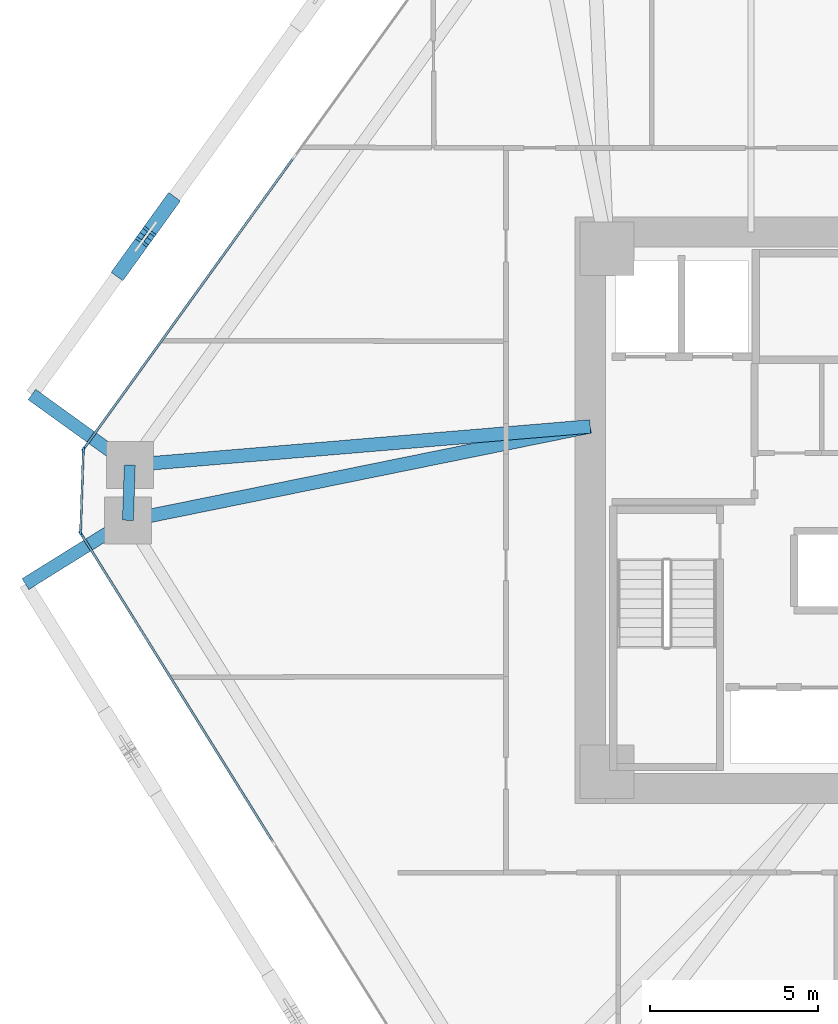
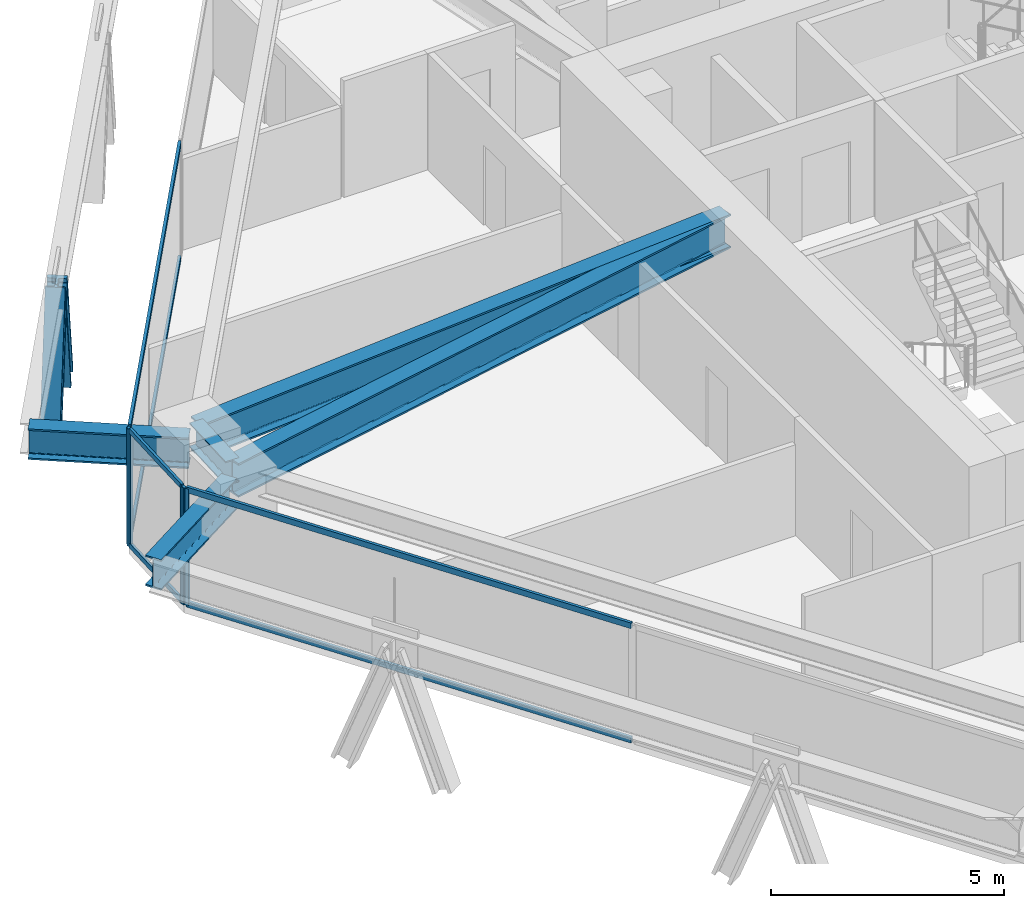
# One storey, part 4 of 17: 12 members, 5 beams, 3 elements without a shape of their own.
"""IFC4 building model written with IfcOpenShell, lengths in metres."""

from ifc_helpers import new_model, si_unit, direction, frame, origin, origin_2d, place, context, subcontext, project, spatial, rectangle, i_section, extrude, source, transform, mapped, material, layer, layer_set, material_profile, profile_set, type_object, type_shapes, element, aggregate, save


model = new_model("IFC4")

# Units and contexts
model_context = context("Model", 3, precision=1e-05, world=origin(), true_north=direction((0.0, 1.0)))
body_context = subcontext(model_context, "Body", "Model", "MODEL_VIEW")
ifc_project = project(units=[si_unit("LENGTHUNIT", "METRE"), si_unit("AREAUNIT", "SQUARE_METRE"), si_unit("VOLUMEUNIT", "CUBIC_METRE"), si_unit("PLANEANGLEUNIT", "RADIAN"), si_unit("MASSUNIT", "GRAM", prefix="KILO")], contexts=[model_context])

# Site, building, storey
site_placement = place(None, origin())
site = spatial("IfcSite", under=ifc_project, at=site_placement, CompositionType="ELEMENT")
building_placement = place(site_placement, origin())
building = spatial("IfcBuilding", under=site, at=building_placement, Name="Durnholm Broadcast Tower", CompositionType="ELEMENT")
storey_placement = place(building_placement, frame((0.0, 0.0, 39.0)))
storey = spatial("IfcBuildingStorey", under=building, at=storey_placement, Name="L08", CompositionType="ELEMENT", Elevation=39.0)

# Beams
ifc_material_1 = material(Name="Steel ASTM A992 Grade 50", Category="steel")
ifc_material_profile_1 = material_profile(ifc_material_1, i_section(OverallWidth=0.3291015625, OverallDepth=0.635009765625, WebThickness=0.017822265625, FlangeThickness=0.031005859375, FilletRadius=0.02783203125, at=origin_2d()), Name="W24X162")
ifc_profile_set_1 = profile_set([ifc_material_profile_1], Name="Steel ASTM A992 Grade 50")
beam_type_1 = type_object("IfcBeamType", Name="STL-SP-W24X162", PredefinedType="SPANDREL", material=ifc_profile_set_1)
shared_shape_1 = source(origin(), body_context, "Body", "SweptSolid", [
    extrude(i_section(OverallWidth=0.3291015625, OverallDepth=0.635009765625, WebThickness=0.017822265625, FlangeThickness=0.031005859375, FilletRadius=0.02783203125, at=origin_2d()), origin(), (0.0, 0.0, 1.0), 1.648193359375),
])
type_shapes(beam_type_1, [shared_shape_1])
beam_1_placement = place(storey_placement, frame((-24.0908203125, -0.2998046875, 2.7275390625), z_axis=(0.033921477804, 0.999424501072, 0.0), x_axis=(-0.999424501072, 0.033921477804, 0.0)))
element("IfcBeam", 1, at=beam_1_placement, inside=storey, type_object=beam_type_1, Name="L08 perimeter spandrel girder 02", PredefinedType="SPANDREL", context=body_context, shape_type="MappedRepresentation", body=[
    mapped(shared_shape_1, transform((0.0, 0.0, 0.0), x_axis=(1.0, 0.0, 0.0), y_axis=(0.0, 1.0, 0.0), z_axis=(0.0, 0.0, 1.0), scale=1.0)),
])
ifc_material_profile_2 = material_profile(ifc_material_1, i_section(OverallWidth=0.404052734375, OverallDepth=0.885009765625, WebThickness=0.0244140625, FlangeThickness=0.0439453125, FilletRadius=0.03564453125, at=origin_2d()), Name="W33X291")
ifc_profile_set_2 = profile_set([ifc_material_profile_2], Name="Steel ASTM A992 Grade 50")
beam_type_2 = type_object("IfcBeamType", Name="STL-GR-W33X291", PredefinedType="USERDEFINED", material=ifc_profile_set_2)
shared_shape_2 = source(origin(), body_context, "Body", "SweptSolid", [
    extrude(i_section(OverallWidth=0.404052734375, OverallDepth=0.885009765625, WebThickness=0.0244140625, FlangeThickness=0.0439453125, FilletRadius=0.03564453125, at=origin_2d()), origin(), (0.0, 0.0, 1.0), 14.072021484375),
])
beam_2_placement = place(storey_placement, frame((-10.300048828125, 2.5, 2.6025390625), z_axis=(-0.980007356767, -0.198961254225, 0.0), x_axis=(0.198961254225, -0.980007356767, 0.0)))
element("IfcBeam", 2, at=beam_2_placement, inside=storey, type_object=beam_type_2, Name="L08 radial primary floor girder 02", ObjectType="GIRDER", PredefinedType="USERDEFINED", context=body_context, shape_type="MappedRepresentation", body=[
    mapped(shared_shape_2, transform((0.0, 0.0, 0.0), x_axis=(1.0, 0.0, 0.0), y_axis=(0.0, 1.0, 0.0), z_axis=(0.0, 0.0, 1.0), scale=1.0)),
])
shared_shape_3 = source(origin(), body_context, "Body", "SweptSolid", [
    extrude(i_section(OverallWidth=0.404052734375, OverallDepth=0.885009765625, WebThickness=0.0244140625, FlangeThickness=0.0439453125, FilletRadius=0.03564453125, at=origin_2d()), origin(), (0.0, 0.0, 1.0), 13.783203125),
])
type_shapes(beam_type_2, [shared_shape_2, shared_shape_3])
beam_3_placement = place(storey_placement, frame((-10.300048828125, 2.5, 2.6025390625), z_axis=(-0.996497460403, -0.083623031579, 0.0), x_axis=(0.083623031579, -0.996497460403, 0.0)))
element("IfcBeam", 3, at=beam_3_placement, inside=storey, type_object=beam_type_2, Name="L08 radial primary floor girder 03", ObjectType="GIRDER", PredefinedType="USERDEFINED", context=body_context, shape_type="MappedRepresentation", body=[
    mapped(shared_shape_3, transform((0.0, 0.0, 0.0), x_axis=(1.0, 0.0, 0.0), y_axis=(0.0, 1.0, 0.0), z_axis=(0.0, 0.0, 1.0), scale=1.0)),
])
ifc_material_profile_3 = material_profile(ifc_material_1, i_section(OverallWidth=0.385009765625, OverallDepth=0.802978515625, WebThickness=0.023681640625, FlangeThickness=0.0419921875, FilletRadius=0.032958984375, at=origin_2d()), Name="W30X261")
ifc_profile_set_3 = profile_set([ifc_material_profile_3], Name="Steel ASTM A992 Grade 50")
beam_type_3 = type_object("IfcBeamType", Name="BM-EXO-TIE", PredefinedType="USERDEFINED", material=ifc_profile_set_3)
shared_shape_4 = source(origin(), body_context, "Body", "SweptSolid", [
    extrude(i_section(OverallWidth=0.385009765625, OverallDepth=0.802978515625, WebThickness=0.023681640625, FlangeThickness=0.0419921875, FilletRadius=0.032958984375, at=origin_2d()), origin(), (0.0, 0.0, 1.0), 3.4560546875),
])
beam_4_placement = place(storey_placement, frame((-24.212890625, -0.375732421875, 2.30859375), z_axis=(-0.848874183218, -0.528594949906, 0.0), x_axis=(0.528594949906, -0.848874183218, 0.0)))
element("IfcBeam", 4, at=beam_4_placement, inside=storey, type_object=beam_type_3, Name="L08 exoskeleton stand-off tie bracket F6.1", ObjectType="GIRDER", PredefinedType="USERDEFINED", context=body_context, shape_type="MappedRepresentation", body=[
    mapped(shared_shape_4, transform((0.0, 0.0, 0.0), x_axis=(1.0, 0.0, 0.0), y_axis=(0.0, 1.0, 0.0), z_axis=(0.0, 0.0, 1.0), scale=1.0)),
])
shared_shape_5 = source(origin(), body_context, "Body", "SweptSolid", [
    extrude(i_section(OverallWidth=0.385009765625, OverallDepth=0.802978515625, WebThickness=0.023681640625, FlangeThickness=0.0419921875, FilletRadius=0.032958984375, at=origin_2d()), origin(), (0.0, 0.0, 1.0), 3.455810546875),
])
type_shapes(beam_type_3, [shared_shape_4, shared_shape_5])
beam_5_placement = place(storey_placement, frame((-24.15185546875, 1.431396484375, 2.30859375), z_axis=(-0.811133512552, 0.584861030344, 0.0), x_axis=(-0.584861030344, -0.811133512552, 0.0)))
element("IfcBeam", 5, at=beam_5_placement, inside=storey, type_object=beam_type_3, Name="L08 exoskeleton stand-off tie bracket F5.2", ObjectType="GIRDER", PredefinedType="USERDEFINED", context=body_context, shape_type="MappedRepresentation", body=[
    mapped(shared_shape_5, transform((0.0, 0.0, 0.0), x_axis=(1.0, 0.0, 0.0), y_axis=(0.0, 1.0, 0.0), z_axis=(0.0, 0.0, 1.0), scale=1.0)),
])

# Members
ifc_material_2 = material(Name="Steel ASTM A913 Grade 65", Category="steel")
ifc_material_profile_4 = material_profile(ifc_material_2, i_section(OverallWidth=0.43212890625, OverallDepth=0.497802734375, WebThickness=0.0556640625, FlangeThickness=0.0888671875, FilletRadius=0.030517578125, at=origin_2d()), Name="W14X500")
ifc_profile_set_4 = profile_set([ifc_material_profile_4], Name="Steel ASTM A913 Grade 65")
member_type_1 = type_object("IfcMemberType", Name="STL-DG-W14X500", PredefinedType="BRACE", material=ifc_profile_set_4)
shared_shape_6 = source(origin(), body_context, "Body", "SweptSolid", [
    extrude(i_section(OverallWidth=0.43212890625, OverallDepth=0.497802734375, WebThickness=0.0556640625, FlangeThickness=0.0888671875, FilletRadius=0.030517578125, at=origin_2d()), origin(), (0.0, 0.0, 1.0), 3.523193359375),
])
type_shapes(member_type_1, [shared_shape_6])
for number, where, z_axis, x_axis, name in (
    (6, (-22.837890625, 9.163330078125, -0.991455078125), (-0.204839138341, -0.284044529113, 0.93667477434), (0.81109123444, -0.58491966065, 0.0), "L08 stand-off diagrid brace F5.D2.1"),
    (7, (-24.281005859375, 7.161865234375, -0.991455078125), (0.20477274847, 0.284048560399, 0.936688068046), (-0.811185111535, 0.584789461963, 0.0), "L08 stand-off diagrid brace F5.D2.2"),
):
    element("IfcMember", number, at=place(storey_placement, frame(where, z_axis=z_axis, x_axis=x_axis)), inside=storey, type_object=member_type_1, Name=name, PredefinedType="BRACE", context=body_context, shape_type="MappedRepresentation", body=[
        mapped(shared_shape_6, transform((0.0, 0.0, 0.0), x_axis=(1.0, 0.0, 0.0), y_axis=(0.0, 1.0, 0.0), z_axis=(0.0, 0.0, 1.0), scale=1.0)),
    ])

# Curtain wall, members
ifc_material_3 = material(Name="Aluminium and Solar Control IGU", Category="aluminium")
ifc_layer_1 = layer(ifc_material_3, 0.1650390625)
ifc_layer_set_1 = layer_set([ifc_layer_1], Name="Aluminium and Solar Control IGU")
curtain_wall_type_1 = type_object("IfcCurtainWallType", Name="CW-SYS-5", PredefinedType="NOTDEFINED", material=ifc_layer_set_1)
curtain_wall_1_placement = place(storey_placement, origin())
curtain_wall_1 = element("IfcCurtainWall", 8, at=curtain_wall_1_placement, inside=storey, type_object=curtain_wall_type_1, Name="L08 curtain wall CW-CORNER CW-L08-CRN-01", PredefinedType="NOTDEFINED")
ifc_material_4 = material(Name="Aluminium 6063-T6", Category="aluminium")
ifc_material_profile_5 = material_profile(ifc_material_4, rectangle(XDim=0.06494140625, YDim=0.1650390625, at=origin_2d()), Name="CWM65X165")
ifc_profile_set_5 = profile_set([ifc_material_profile_5], Name="Aluminium 6063-T6")
member_type_2 = type_object("IfcMemberType", Name="CW-SYS-5-MUL", PredefinedType="MULLION", material=ifc_profile_set_5)
shared_shape_7 = source(origin(), body_context, "Body", "SweptSolid", [
    extrude(rectangle(XDim=0.06494140625, YDim=0.1650390625, at=origin_2d()), origin(), (0.0, 0.0, 1.0), 3.06005859375),
])
type_shapes(member_type_2, [shared_shape_7])
member_1_placement = place(storey_placement, frame((-25.50341796875, -0.6455078125, 0.0), z_axis=(0.0, 0.0, 1.0), x_axis=(-0.999427277772, 0.033839569233, 0.0)))
member_1 = element("IfcMember", 9, at=member_1_placement, type_object=member_type_2, Name="CW-CORNER mullion 1", PredefinedType="MULLION", context=body_context, shape_type="MappedRepresentation", body=[
    mapped(shared_shape_7, transform((0.0, 0.0, 0.0), x_axis=(1.0, 0.0, 0.0), y_axis=(0.0, 1.0, 0.0), z_axis=(0.0, 0.0, 1.0), scale=1.0)),
])
member_2_placement = place(storey_placement, frame((-25.4208984375, 1.7880859375, 0.0), z_axis=(0.0, 0.0, 1.0), x_axis=(-0.999427277772, 0.033839569233, 0.0)))
member_2 = element("IfcMember", 10, at=member_2_placement, type_object=member_type_2, Name="CW-CORNER mullion 2", PredefinedType="MULLION", context=body_context, shape_type="MappedRepresentation", body=[
    mapped(shared_shape_7, transform((0.0, 0.0, 0.0), x_axis=(1.0, 0.0, 0.0), y_axis=(0.0, 1.0, 0.0), z_axis=(0.0, 0.0, 1.0), scale=1.0)),
])
ifc_material_profile_6 = material_profile(ifc_material_4, rectangle(XDim=0.06494140625, YDim=0.1298828125, at=origin_2d()), Name="CWT65X130")
ifc_profile_set_6 = profile_set([ifc_material_profile_6], Name="Aluminium 6063-T6")
member_type_3 = type_object("IfcMemberType", Name="CW-SYS-5-TRN", PredefinedType="USERDEFINED", material=ifc_profile_set_6)
shared_shape_8 = source(origin(), body_context, "Body", "SweptSolid", [
    extrude(rectangle(XDim=0.06494140625, YDim=0.1298828125, at=origin_2d()), origin(), (0.0, 0.0, 1.0), 2.3701171875),
])
type_shapes(member_type_3, [shared_shape_8])
member_3_placement = place(storey_placement, frame((-25.502197265625, -0.613037109375, 0.032470703125), z_axis=(0.033788158898, 0.999429017148, 0.0), x_axis=(-0.999429017148, 0.033788158898, 0.0)))
member_3 = element("IfcMember", 11, at=member_3_placement, type_object=member_type_3, Name="CW-CORNER transom 1.1", ObjectType="TRANSOM", PredefinedType="USERDEFINED", context=body_context, shape_type="MappedRepresentation", body=[
    mapped(shared_shape_8, transform((0.0, 0.0, 0.0), x_axis=(1.0, 0.0, 0.0), y_axis=(0.0, 1.0, 0.0), z_axis=(0.0, 0.0, 1.0), scale=1.0)),
])
member_4_placement = place(storey_placement, frame((-25.502197265625, -0.613037109375, 3.027587890625), z_axis=(0.033788158898, 0.999429017148, 0.0), x_axis=(-0.999429017148, 0.033788158898, 0.0)))
member_4 = element("IfcMember", 12, at=member_4_placement, type_object=member_type_3, Name="CW-CORNER transom 1.2", ObjectType="TRANSOM", PredefinedType="USERDEFINED", context=body_context, shape_type="MappedRepresentation", body=[
    mapped(shared_shape_8, transform((0.0, 0.0, 0.0), x_axis=(1.0, 0.0, 0.0), y_axis=(0.0, 1.0, 0.0), z_axis=(0.0, 0.0, 1.0), scale=1.0)),
])
aggregate(curtain_wall_1, [member_1, member_2, member_3, member_4])

# Curtain wall, member
ifc_layer_2 = layer(ifc_material_3, 0.18994140625)
ifc_layer_set_2 = layer_set([ifc_layer_2], Name="Aluminium and Solar Control IGU")
curtain_wall_type_2 = type_object("IfcCurtainWallType", Name="CW-SYS-3", PredefinedType="NOTDEFINED", material=ifc_layer_set_2)
curtain_wall_2_placement = place(storey_placement, origin())
curtain_wall_2 = element("IfcCurtainWall", 13, at=curtain_wall_2_placement, inside=storey, type_object=curtain_wall_type_2, Name="L08 curtain wall CW-Z12-VIS CW-L08-F02", PredefinedType="NOTDEFINED")
ifc_material_profile_7 = material_profile(ifc_material_4, rectangle(XDim=0.070068359375, YDim=0.18994140625, at=origin_2d()), Name="CWM70X190")
ifc_profile_set_7 = profile_set([ifc_material_profile_7], Name="Aluminium 6063-T6")
member_type_4 = type_object("IfcMemberType", Name="CW-SYS-3-MUL", PredefinedType="MULLION", material=ifc_profile_set_7)
shared_shape_9 = source(origin(), body_context, "Body", "SweptSolid", [
    extrude(rectangle(XDim=0.070068359375, YDim=0.18994140625, at=origin_2d()), origin(), (0.0, 0.0, 1.0), 3.06005859375),
])
type_shapes(member_type_4, [shared_shape_9])
member_5_placement = place(storey_placement, frame((-25.3994140625, 1.848876953125, 0.0), z_axis=(0.0, 0.0, 1.0), x_axis=(-0.81116057493, 0.584823496176, 0.0)))
member_5 = element("IfcMember", 14, at=member_5_placement, type_object=member_type_4, Name="CW-Z12-VIS mullion 1", PredefinedType="MULLION", context=body_context, shape_type="MappedRepresentation", body=[
    mapped(shared_shape_9, transform((0.0, 0.0, 0.0), x_axis=(1.0, 0.0, 0.0), y_axis=(0.0, 1.0, 0.0), z_axis=(0.0, 0.0, 1.0), scale=1.0)),
])

curtain_wall_3_placement = place(storey_placement, origin())
curtain_wall_3 = element("IfcCurtainWall", 15, at=curtain_wall_3_placement, inside=storey, type_object=curtain_wall_type_2, Name="L08 curtain wall CW-Z12-VIS CW-L08-F12", PredefinedType="NOTDEFINED")
member_6_placement = place(storey_placement, frame((-25.48583984375, -0.707763671875, 0.0), z_axis=(0.0, 0.0, 1.0), x_axis=(-0.848875785503, -0.528592376777, 0.0)))
member_6 = element("IfcMember", 16, at=member_6_placement, type_object=member_type_4, Name="CW-Z12-VIS mullion 3", PredefinedType="MULLION", context=body_context, shape_type="MappedRepresentation", body=[
    mapped(shared_shape_9, transform((0.0, 0.0, 0.0), x_axis=(1.0, 0.0, 0.0), y_axis=(0.0, 1.0, 0.0), z_axis=(0.0, 0.0, 1.0), scale=1.0)),
])

# Member
ifc_material_profile_8 = material_profile(ifc_material_4, rectangle(XDim=0.070068359375, YDim=0.14990234375, at=origin_2d()), Name="CWT70X150")
ifc_profile_set_8 = profile_set([ifc_material_profile_8], Name="Aluminium 6063-T6")
member_type_5 = type_object("IfcMemberType", Name="CW-SYS-3-TRN", PredefinedType="USERDEFINED", material=ifc_profile_set_8)
shared_shape_10 = source(origin(), body_context, "Body", "SweptSolid", [
    extrude(rectangle(XDim=0.070068359375, YDim=0.14990234375, at=origin_2d()), origin(), (0.0, 0.0, 1.0), 10.6455078125),
])
member_7_placement = place(storey_placement, frame((-25.37890625, 1.877197265625, 0.034912109375), z_axis=(0.584812103659, 0.811168788486, 0.0), x_axis=(-0.811168788486, 0.584812103659, 0.0)))
member_7 = element("IfcMember", 17, at=member_7_placement, type_object=member_type_5, Name="CW-Z12-VIS transom 1.1", ObjectType="TRANSOM", PredefinedType="USERDEFINED", context=body_context, shape_type="MappedRepresentation", body=[
    mapped(shared_shape_10, transform((0.0, 0.0, 0.0), x_axis=(1.0, 0.0, 0.0), y_axis=(0.0, 1.0, 0.0), z_axis=(0.0, 0.0, 1.0), scale=1.0)),
])

member_8_placement = place(storey_placement, frame((-25.37890625, 1.877197265625, 3.02490234375), z_axis=(0.584812103659, 0.811168788486, 0.0), x_axis=(-0.811168788486, 0.584812103659, 0.0)))
member_8 = element("IfcMember", 18, at=member_8_placement, type_object=member_type_5, Name="CW-Z12-VIS transom 1.2", ObjectType="TRANSOM", PredefinedType="USERDEFINED", context=body_context, shape_type="MappedRepresentation", body=[
    mapped(shared_shape_10, transform((0.0, 0.0, 0.0), x_axis=(1.0, 0.0, 0.0), y_axis=(0.0, 1.0, 0.0), z_axis=(0.0, 0.0, 1.0), scale=1.0)),
])

aggregate(curtain_wall_2, [member_5, member_7, member_8])

shared_shape_11 = source(origin(), body_context, "Body", "SweptSolid", [
    extrude(rectangle(XDim=0.070068359375, YDim=0.14990234375, at=origin_2d()), origin(), (0.0, 0.0, 1.0), 10.796630859375),
])
type_shapes(member_type_5, [shared_shape_10, shared_shape_11])
member_9_placement = place(storey_placement, frame((-19.760498046875, -9.902587890625, 0.034912109375), z_axis=(-0.528575362968, 0.848886379714, 0.0), x_axis=(-0.848886379714, -0.528575362968, 0.0)))
member_9 = element("IfcMember", 19, at=member_9_placement, type_object=member_type_5, Name="CW-Z12-VIS transom 2.1", ObjectType="TRANSOM", PredefinedType="USERDEFINED", context=body_context, shape_type="MappedRepresentation", body=[
    mapped(shared_shape_11, transform((0.0, 0.0, 0.0), x_axis=(1.0, 0.0, 0.0), y_axis=(0.0, 1.0, 0.0), z_axis=(0.0, 0.0, 1.0), scale=1.0)),
])

member_10_placement = place(storey_placement, frame((-19.760498046875, -9.902587890625, 3.02490234375), z_axis=(-0.528575362968, 0.848886379714, 0.0), x_axis=(-0.848886379714, -0.528575362968, 0.0)))
member_10 = element("IfcMember", 20, at=member_10_placement, type_object=member_type_5, Name="CW-Z12-VIS transom 2.2", ObjectType="TRANSOM", PredefinedType="USERDEFINED", context=body_context, shape_type="MappedRepresentation", body=[
    mapped(shared_shape_11, transform((0.0, 0.0, 0.0), x_axis=(1.0, 0.0, 0.0), y_axis=(0.0, 1.0, 0.0), z_axis=(0.0, 0.0, 1.0), scale=1.0)),
])

aggregate(curtain_wall_3, [member_6, member_9, member_10])

save(model, "model.ifc")
